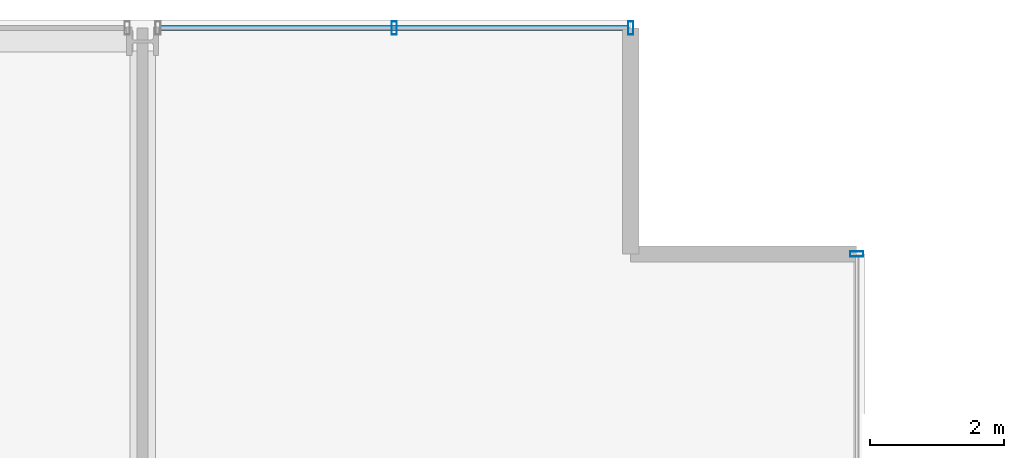
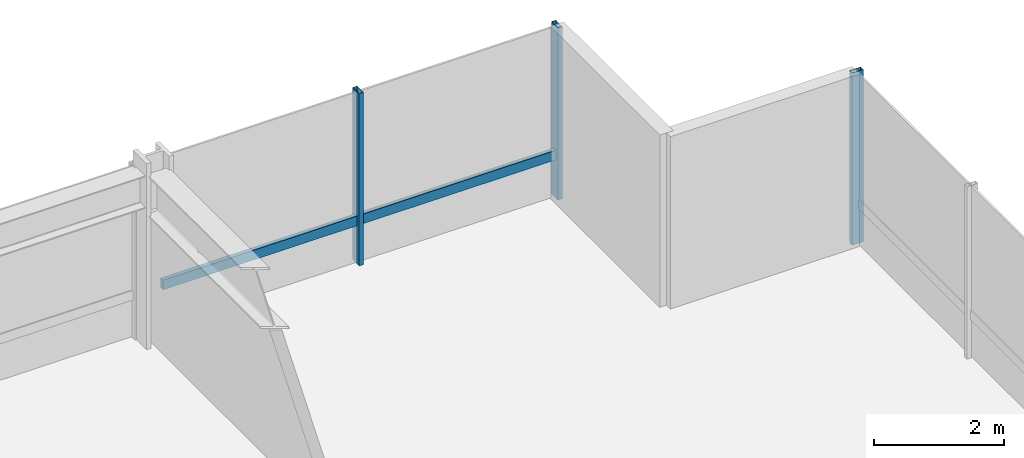
# One storey, part 28 of 38: 4 members, 2 elements without a shape of their own.
"""IFC4 building model written with IfcOpenShell, lengths in metres."""

from ifc_helpers import new_model, si_unit, direction, frame, origin, origin_2d, place, context, subcontext, project, spatial, hollow_rectangle, extrude, material, layer, layer_set, material_profile, profile_set, type_object, element, aggregate, save


model = new_model("IFC4")

# Units and contexts
model_context = context("Model", 3, precision=1e-05, world=origin(), true_north=direction((0.0, 1.0)))
body_context = subcontext(model_context, "Body", "Model", "MODEL_VIEW")
ifc_project = project(units=[si_unit("LENGTHUNIT", "METRE"), si_unit("AREAUNIT", "SQUARE_METRE"), si_unit("VOLUMEUNIT", "CUBIC_METRE"), si_unit("PLANEANGLEUNIT", "RADIAN"), si_unit("MASSUNIT", "GRAM", prefix="KILO")], contexts=[model_context])

# Site, building, storey
site_placement = place(None, origin())
site = spatial("IfcSite", under=ifc_project, at=site_placement, CompositionType="ELEMENT")
building_placement = place(site_placement, origin())
building = spatial("IfcBuilding", under=site, at=building_placement, Name="Drelvath Grand Hotel", CompositionType="ELEMENT")
storey_placement = place(building_placement, frame((0.0, 0.0, 71.699951171875)))
storey = spatial("IfcBuildingStorey", under=building, at=storey_placement, Name="L17", CompositionType="ELEMENT", Elevation=71.699951171875)

# Curtain wall, member
ifc_material = material(Name="Warm Bronze Anodised Aluminium Frame", Category="aluminium")
ifc_layer = layer(ifc_material, 0.199951171875)
ifc_layer_set = layer_set([ifc_layer], Name="Warm Bronze Anodised Aluminium Frame")
curtain_wall_type = type_object("IfcCurtainWallType", Name="Stick Curtain Wall CW-02 Warm Bronze Low-Rise", PredefinedType="NOTDEFINED", material=ifc_layer_set)
curtain_wall_1_placement = place(storey_placement, origin())
curtain_wall_1 = element("IfcCurtainWall", 1, at=curtain_wall_1_placement, inside=storey, type_object=curtain_wall_type, Name="L17 CW-02 Curtain Wall CW02-L17-NE3", PredefinedType="NOTDEFINED")
ifc_material_profile_1 = material_profile(ifc_material, hollow_rectangle(XDim=0.074951171875, YDim=0.179931640625, WallThickness=0.0048828125, at=origin_2d()), Name="HSS180X75X5")
ifc_profile_set_1 = profile_set([ifc_material_profile_1], Name="Warm Bronze Anodised Aluminium Frame")
member_type_1 = type_object("IfcMemberType", Name="Curtain Wall Horizontal Transom CW-02 HSS180X75X5", PredefinedType="USERDEFINED", material=ifc_profile_set_1)
member_1_placement = place(storey_placement, frame((16.468994140625, 53.8798828125, 0.81005859375), z_axis=(1.0, 0.0, 0.0), x_axis=(0.0, 1.0, 0.0)))
member_1 = element("IfcMember", 2, at=member_1_placement, type_object=member_type_1, Name="CW02-L17-NE3 Sill Transom", ObjectType="TRANSOM", PredefinedType="USERDEFINED", context=body_context, shape_type="SweptSolid", body=[
    extrude(hollow_rectangle(XDim=0.074951171875, YDim=0.179931640625, WallThickness=0.0048828125, at=origin_2d()), origin(), (0.0, 0.0, 1.0), 6.990966796875),
])

curtain_wall_2_placement = place(storey_placement, origin())
curtain_wall_2 = element("IfcCurtainWall", 3, at=curtain_wall_2_placement, inside=storey, type_object=curtain_wall_type, Name="L17 CW-02 Curtain Wall CW02-L17-EN3", PredefinedType="NOTDEFINED")
ifc_material_profile_2 = material_profile(ifc_material, hollow_rectangle(XDim=0.080078125, YDim=0.199951171875, WallThickness=0.0048828125, at=origin_2d()), Name="HSS200X80X5")
ifc_profile_set_2 = profile_set([ifc_material_profile_2], Name="Warm Bronze Anodised Aluminium Frame")
member_type_2 = type_object("IfcMemberType", Name="Curtain Wall Vertical Mullion CW-02 HSS200X80X5", PredefinedType="MULLION", material=ifc_profile_set_2)
member_2_placement = place(storey_placement, frame((26.8798828125, 50.5, 0.0), z_axis=(0.0, 0.0, 1.0), x_axis=(0.0, 1.0, 0.0)))
member_2 = element("IfcMember", 4, at=member_2_placement, type_object=member_type_2, Name="CW02-L17-EN3 Mullion 1", PredefinedType="MULLION", context=body_context, shape_type="SweptSolid", body=[
    extrude(hollow_rectangle(XDim=0.080078125, YDim=0.199951171875, WallThickness=0.0048828125, at=origin_2d()), origin(), (0.0, 0.0, 1.0), 3.239990234375),
])
aggregate(curtain_wall_2, [member_2])

# Member
member_3_placement = place(storey_placement, frame((19.964599609375, 53.8798828125, 0.0), z_axis=(0.0, 0.0, 1.0), x_axis=(1.0, 0.0, 0.0)))
member_3 = element("IfcMember", 5, at=member_3_placement, type_object=member_type_2, Name="CW02-L17-NE3 Mullion 2", PredefinedType="MULLION", context=body_context, shape_type="SweptSolid", body=[
    extrude(hollow_rectangle(XDim=0.080078125, YDim=0.199951171875, WallThickness=0.0048828125, at=origin_2d()), origin(), (0.0, 0.0, 1.0), 3.239990234375),
])

member_4_placement = place(storey_placement, frame((23.5, 53.8798828125, 0.0), z_axis=(0.0, 0.0, 1.0), x_axis=(1.0, 0.0, 0.0)))
member_4 = element("IfcMember", 6, at=member_4_placement, type_object=member_type_2, Name="CW02-L17-NE3 Mullion 3", PredefinedType="MULLION", context=body_context, shape_type="SweptSolid", body=[
    extrude(hollow_rectangle(XDim=0.080078125, YDim=0.199951171875, WallThickness=0.0048828125, at=origin_2d()), origin(), (0.0, 0.0, 1.0), 3.239990234375),
])

aggregate(curtain_wall_1, [member_3, member_4, member_1])

save(model, "model.ifc")
